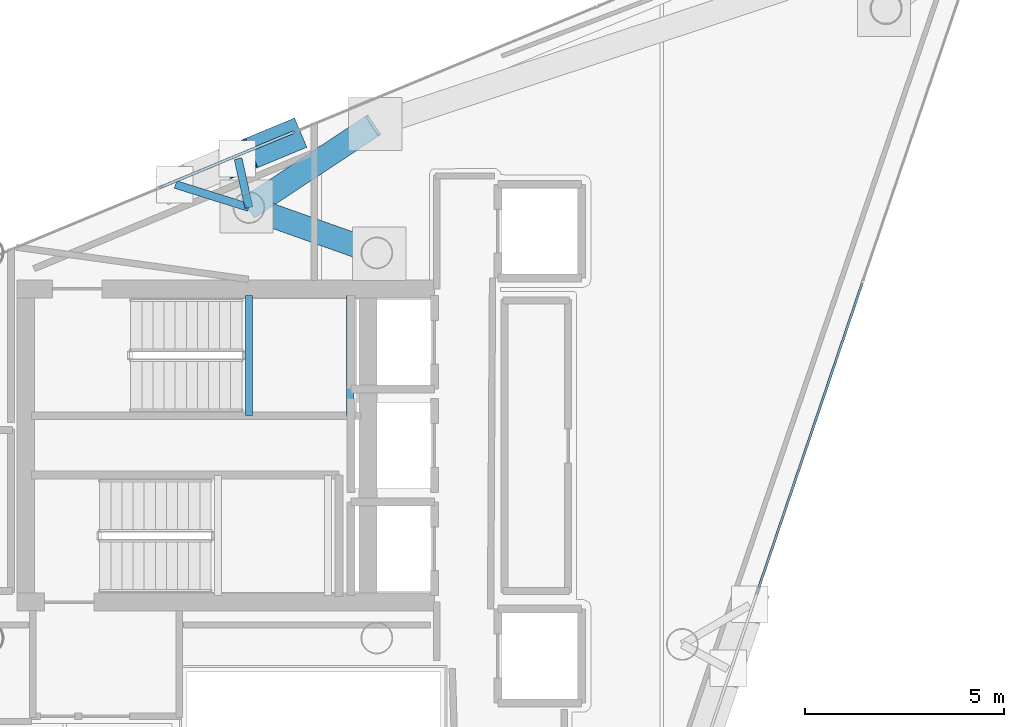
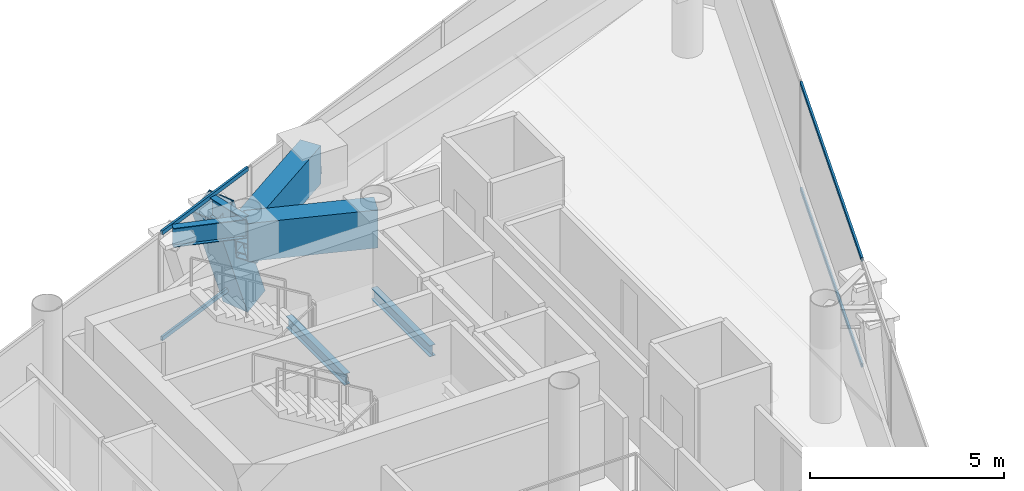
# One storey, part 9 of 18: 6 beams, 6 members, 2 elements without a shape of their own.
"""IFC4 building model written with IfcOpenShell, lengths in metres."""

from ifc_helpers import new_model, si_unit, direction, frame, origin, origin_2d, place, context, subcontext, project, spatial, hollow_rectangle, i_section, extrude, material, layer, layer_set, material_profile, profile_set, type_object, element, aggregate, save


model = new_model("IFC4")

# Units and contexts
model_context = context("Model", 3, precision=1e-05, world=origin(), true_north=direction((0.0, 1.0)))
body_context = subcontext(model_context, "Body", "Model", "MODEL_VIEW")
ifc_project = project(units=[si_unit("LENGTHUNIT", "METRE"), si_unit("AREAUNIT", "SQUARE_METRE"), si_unit("VOLUMEUNIT", "CUBIC_METRE"), si_unit("PLANEANGLEUNIT", "RADIAN"), si_unit("MASSUNIT", "GRAM", prefix="KILO")], contexts=[model_context])

# Site, building, storey
site_placement = place(None, origin())
site = spatial("IfcSite", under=ifc_project, at=site_placement, CompositionType="ELEMENT")
building_placement = place(site_placement, origin())
building = spatial("IfcBuilding", under=site, at=building_placement, Name="Qianvela Tower", CompositionType="ELEMENT")
storey_placement = place(building_placement, frame((0.0, 0.0, 348.10009765625)))
storey = spatial("IfcBuildingStorey", under=building, at=storey_placement, Name="L90", CompositionType="ELEMENT", Elevation=348.10009765625)

# Beams
ifc_material_1 = material(Name="Steel Q355B", Category="steel")
ifc_material_profile_1 = material_profile(ifc_material_1, i_section(OverallWidth=0.175048828125, OverallDepth=0.35009765625, WebThickness=0.007080078125, FlangeThickness=0.010986328125, at=origin_2d()), Name="HN350x175x7x11")
ifc_profile_set_1 = profile_set([ifc_material_profile_1], Name="Steel Q355B")
beam_type_1 = type_object("IfcBeamType", Name="BM-HN350-JOIST", PredefinedType="JOIST", material=ifc_profile_set_1)
for number, where, z_axis, x_axis, name in (
    (1, (35.179931640625, 29.4599609375, 1.474853515625), (0.0, 1.0, 0.0), (-1.0, 0.0, 0.0), "L90 Stair ST-1 Landing Support Beam 1.1"),
    (2, (37.719970703125, 29.4599609375, 1.474853515625), (0.0, 1.0, 0.0), (-1.0, 0.0, 0.0), "L90 Stair ST-1 Landing Support Beam 1.2"),
):
    element("IfcBeam", number, at=place(storey_placement, frame(where, z_axis=z_axis, x_axis=x_axis)), inside=storey, type_object=beam_type_1, Name=name, PredefinedType="JOIST", context=body_context, shape_type="SweptSolid", body=[
        extrude(i_section(OverallWidth=0.175048828125, OverallDepth=0.35009765625, WebThickness=0.007080078125, FlangeThickness=0.010986328125, at=origin_2d()), origin(), (0.0, 0.0, 1.0), 3.02001953125),
    ])
ifc_material_2 = material(Name="Steel Q355B", Category="steel")
ifc_material_profile_2 = material_profile(ifc_material_2, i_section(OverallWidth=0.199951171875, OverallDepth=0.60009765625, WebThickness=0.010986328125, FlangeThickness=0.01708984375, at=origin_2d()), Name="HN600x200x11x17")
ifc_profile_set_2 = profile_set([ifc_material_profile_2], Name="Steel Q355B")
beam_type_2 = type_object("IfcBeamType", Name="BM-HN600-GIRD", PredefinedType="BEAM", material=ifc_profile_set_2)
beam_1_placement = place(storey_placement, frame((35.177001953125, 34.695068359375, 3.097900390625), z_axis=(-0.216131374017, 0.976364291218, 0.0), x_axis=(-0.976364291218, -0.216131374017, 0.0)))
element("IfcBeam", 3, at=beam_1_placement, inside=storey, type_object=beam_type_2, Name="L90 Mega-Brace Column Tie Bracket F1-1", PredefinedType="BEAM", context=body_context, shape_type="SweptSolid", body=[
    extrude(i_section(OverallWidth=0.199951171875, OverallDepth=0.60009765625, WebThickness=0.010986328125, FlangeThickness=0.01708984375, at=origin_2d()), origin(), (0.0, 0.0, 1.0), 1.26171875),
])
beam_2_placement = place(storey_placement, frame((35.177001953125, 34.695068359375, 3.097900390625), z_axis=(-0.954101950048, 0.299482000987, 0.0), x_axis=(-0.299482000987, -0.954101950048, 0.0)))
element("IfcBeam", 4, at=beam_2_placement, inside=storey, type_object=beam_type_2, Name="L90 Mega-Brace Column Tie Bracket F1-2", PredefinedType="BEAM", context=body_context, shape_type="SweptSolid", body=[
    extrude(i_section(OverallWidth=0.199951171875, OverallDepth=0.60009765625, WebThickness=0.010986328125, FlangeThickness=0.01708984375, at=origin_2d()), origin(), (0.0, 0.0, 1.0), 1.9345703125),
])
ifc_material_3 = material(Name="Steel Q420GJC", Category="steel")
ifc_material_profile_3 = material_profile(ifc_material_3, hollow_rectangle(XDim=0.60009765625, YDim=1.199951171875, WallThickness=0.034912109375, at=origin_2d()), Name="TG-BOX-1200x600x35")
ifc_profile_set_3 = profile_set([ifc_material_profile_3], Name="Steel Q420GJC")
beam_type_3 = type_object("IfcBeamType", Name="BM-TG-RAD-1200", PredefinedType="BEAM", material=ifc_profile_set_3)
beam_3_placement = place(storey_placement, frame((38.39990234375, 33.550048828125, 2.7978515625), z_axis=(-0.942297777183, 0.334775893871, 0.0), x_axis=(-0.334775893871, -0.942297777183, 0.0)))
element("IfcBeam", 5, at=beam_3_placement, inside=storey, type_object=beam_type_3, Name="L90 Sky-Lounge Cantilever Back-Span Girder 2", PredefinedType="BEAM", context=body_context, shape_type="SweptSolid", body=[
    extrude(hollow_rectangle(XDim=0.60009765625, YDim=1.199951171875, WallThickness=0.034912109375, at=origin_2d()), origin(), (0.0, 0.0, 1.0), 3.420166015625),
])
ifc_material_4 = material(Name="Steel Q420GJC", Category="steel")
ifc_material_profile_4 = material_profile(ifc_material_4, hollow_rectangle(XDim=0.60009765625, YDim=1.199951171875, WallThickness=0.034912109375, at=origin_2d()), Name="TG-BOX-1200x600x35")
ifc_profile_set_4 = profile_set([ifc_material_profile_4], Name="Steel Q420GJC")
beam_type_4 = type_object("IfcBeamType", Name="BM-TG-STEP-1200", PredefinedType="BEAM", material=ifc_profile_set_4)
beam_4_placement = place(storey_placement, frame((35.177001953125, 34.695068359375, 2.7978515625), z_axis=(0.834386649614, 0.551179570508, 0.0), x_axis=(-0.551179570508, 0.834386649614, 0.0)))
element("IfcBeam", 6, at=beam_4_placement, inside=storey, type_object=beam_type_4, Name="L90 Sky-Lounge Cantilever Projection Girder 2", PredefinedType="BEAM", context=body_context, shape_type="SweptSolid", body=[
    extrude(hollow_rectangle(XDim=0.60009765625, YDim=1.199951171875, WallThickness=0.034912109375, at=origin_2d()), origin(), (0.0, 0.0, 1.0), 3.75),
])

# Curtain wall, members
ifc_material_5 = material(Name="Anodised Architectural Aluminium and Insulated Spandrel Panel", Category="aluminium")
ifc_layer_1 = layer(ifc_material_5, 0.179931640625)
ifc_layer_set_1 = layer_set([ifc_layer_1], Name="Anodised Architectural Aluminium and Insulated Spandrel Panel")
curtain_wall_type_1 = type_object("IfcCurtainWallType", Name="CW-BRACEBAY", PredefinedType="USERDEFINED", material=ifc_layer_set_1)
curtain_wall_1_placement = place(storey_placement, origin())
curtain_wall_1 = element("IfcCurtainWall", 7, at=curtain_wall_1_placement, inside=storey, type_object=curtain_wall_type_1, Name="L90 CW-BRACEBAY Curtain Wall 02B", ObjectType="CURTAIN_WALL_SYSTEM", PredefinedType="USERDEFINED")
ifc_material_6 = material(Name="Anodised Architectural Aluminium 6063-T6", Category="aluminium")
ifc_material_profile_5 = material_profile(ifc_material_6, hollow_rectangle(XDim=0.06494140625, YDim=0.1298828125, WallThickness=0.00439453125, at=origin_2d()), Name="ALU-TRAN-65x130")
ifc_profile_set_5 = profile_set([ifc_material_profile_5], Name="Anodised Architectural Aluminium 6063-T6")
member_type_1 = type_object("IfcMemberType", Name="CW-BRACEBAY-TRAN", PredefinedType="USERDEFINED", material=ifc_profile_set_5)
member_1_placement = place(storey_placement, frame((36.3271484375, 36.603759765625, 0.032470703125), z_axis=(-0.923679015003, -0.383167166186, 0.0), x_axis=(0.383167166186, -0.923679015003, 0.0)))
member_1 = element("IfcMember", 8, at=member_1_placement, type_object=member_type_1, Name="CW-9 transom 1.1", ObjectType="TRANSOM", PredefinedType="USERDEFINED", context=body_context, shape_type="SweptSolid", body=[
    extrude(hollow_rectangle(XDim=0.06494140625, YDim=0.1298828125, WallThickness=0.00439453125, at=origin_2d()), origin(), (0.0, 0.0, 1.0), 3.64013671875),
])
member_2_placement = place(storey_placement, frame((36.3271484375, 36.603759765625, 3.367431640625), z_axis=(-0.923679015003, -0.383167166186, 0.0), x_axis=(0.383167166186, -0.923679015003, 0.0)))
member_2 = element("IfcMember", 9, at=member_2_placement, type_object=member_type_1, Name="CW-9 transom 1.2", ObjectType="TRANSOM", PredefinedType="USERDEFINED", context=body_context, shape_type="SweptSolid", body=[
    extrude(hollow_rectangle(XDim=0.06494140625, YDim=0.1298828125, WallThickness=0.00439453125, at=origin_2d()), origin(), (0.0, 0.0, 1.0), 3.64013671875),
])
aggregate(curtain_wall_1, [member_1, member_2])

ifc_material_7 = material(Name="Anodised Architectural Aluminium and Low-E Glass", Category="aluminium")
ifc_layer_2 = layer(ifc_material_7, 0.14990234375)
ifc_layer_set_2 = layer_set([ifc_layer_2], Name="Anodised Architectural Aluminium and Low-E Glass")
curtain_wall_type_2 = type_object("IfcCurtainWallType", Name="CW-COLIV-Z78", PredefinedType="USERDEFINED", material=ifc_layer_set_2)
curtain_wall_2_placement = place(storey_placement, origin())
curtain_wall_2 = element("IfcCurtainWall", 10, at=curtain_wall_2_placement, inside=storey, type_object=curtain_wall_type_2, Name="L90 CW-COLIV-Z78 Curtain Wall 06C", ObjectType="CURTAIN_WALL_SYSTEM", PredefinedType="USERDEFINED")
ifc_material_8 = material(Name="Anodised Architectural Aluminium 6063-T6", Category="aluminium")
ifc_material_profile_6 = material_profile(ifc_material_8, hollow_rectangle(XDim=0.06005859375, YDim=0.114990234375, WallThickness=0.00390625, at=origin_2d()), Name="ALU-TRAN-60x115")
ifc_profile_set_6 = profile_set([ifc_material_profile_6], Name="Anodised Architectural Aluminium 6063-T6")
member_type_2 = type_object("IfcMemberType", Name="CW-COLIV-Z78-TRAN", PredefinedType="USERDEFINED", material=ifc_profile_set_6)
member_3_placement = place(storey_placement, frame((48.02197265625, 25.12548828125, 0.02978515625), z_axis=(0.321702771091, 0.946840708394, 0.0), x_axis=(-0.946840708394, 0.321702771091, 0.0)))
member_3 = element("IfcMember", 11, at=member_3_placement, type_object=member_type_2, Name="CW-6 transom 1.1", ObjectType="TRANSOM", PredefinedType="USERDEFINED", context=body_context, shape_type="SweptSolid", body=[
    extrude(hollow_rectangle(XDim=0.06005859375, YDim=0.114990234375, WallThickness=0.00390625, at=origin_2d()), origin(), (0.0, 0.0, 1.0), 8.098876953125),
])
member_4_placement = place(storey_placement, frame((48.02197265625, 25.12548828125, 3.369873046875), z_axis=(0.321702771091, 0.946840708394, 0.0), x_axis=(-0.946840708394, 0.321702771091, 0.0)))
member_4 = element("IfcMember", 12, at=member_4_placement, type_object=member_type_2, Name="CW-6 transom 1.2", ObjectType="TRANSOM", PredefinedType="USERDEFINED", context=body_context, shape_type="SweptSolid", body=[
    extrude(hollow_rectangle(XDim=0.06005859375, YDim=0.114990234375, WallThickness=0.00390625, at=origin_2d()), origin(), (0.0, 0.0, 1.0), 8.098876953125),
])
aggregate(curtain_wall_2, [member_3, member_4])

# Members
ifc_material_9 = material(Name="Steel Q420GJC", Category="steel")
ifc_material_profile_7 = material_profile(ifc_material_9, hollow_rectangle(XDim=0.60009765625, YDim=0.60009765625, WallThickness=0.02490234375, at=origin_2d()), Name="BBOX-600x600x25")
ifc_profile_set_7 = profile_set([ifc_material_profile_7], Name="Steel Q420GJC")
member_type_3 = type_object("IfcMemberType", Name="MBR-BELT-600", PredefinedType="BRACE", material=ifc_profile_set_7)
member_5_placement = place(storey_placement, frame((35.177001953125, 34.695068359375, 2.2998046875), z_axis=(0.827123454411, 0.546381645213, 0.131658227762), x_axis=(-0.551179570508, 0.834386649614, 0.0)))
element("IfcMember", 13, at=member_5_placement, inside=storey, type_object=member_type_3, Name="L90 Sky-Lounge Cantilever Truss Diagonal 2", PredefinedType="BRACE", context=body_context, shape_type="SweptSolid", body=[
    extrude(hollow_rectangle(XDim=0.60009765625, YDim=0.60009765625, WallThickness=0.02490234375, at=origin_2d()), origin(), (0.0, 0.0, 1.0), 3.782958984375),
])
ifc_material_10 = material(Name="Steel Q420GJC", Category="steel")
ifc_material_profile_8 = material_profile(ifc_material_10, hollow_rectangle(XDim=0.800048828125, YDim=0.800048828125, WallThickness=0.028076171875, at=origin_2d()), Name="MBOX-800x800x28")
ifc_profile_set_8 = profile_set([ifc_material_profile_8], Name="Steel Q420GJC")
member_type_4 = type_object("IfcMemberType", Name="MBR-MBRACE-800", PredefinedType="BRACE", material=ifc_profile_set_8)
member_6_placement = place(storey_placement, frame((36.135986328125, 36.437744140625, -0.482177734375), z_axis=(-0.322404444216, -0.13369080224, 0.937113730422), x_axis=(0.383041697271, -0.923731052932, 0.0)))
element("IfcMember", 14, at=member_6_placement, inside=storey, type_object=member_type_4, Name="L90 Tier 15 Exterior Mega-Brace F1A", PredefinedType="BRACE", context=body_context, shape_type="SweptSolid", body=[
    extrude(hollow_rectangle(XDim=0.800048828125, YDim=0.800048828125, WallThickness=0.028076171875, at=origin_2d()), origin(), (0.0, 0.0, 1.0), 3.8203125),
])

save(model, "model.ifc")
